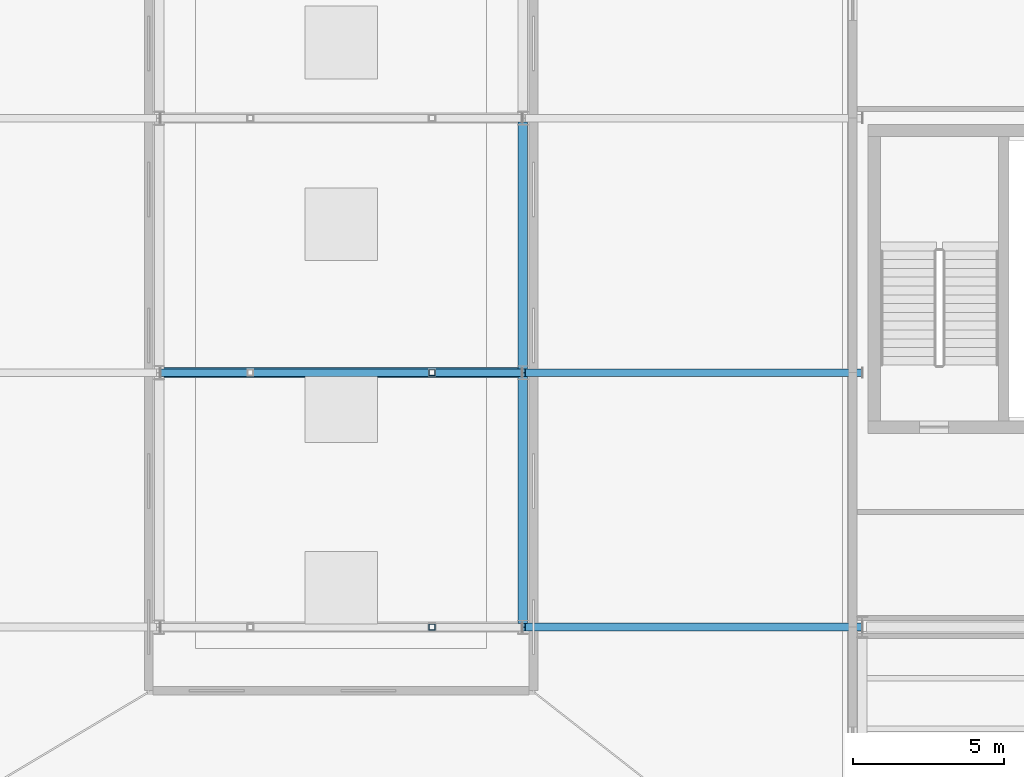
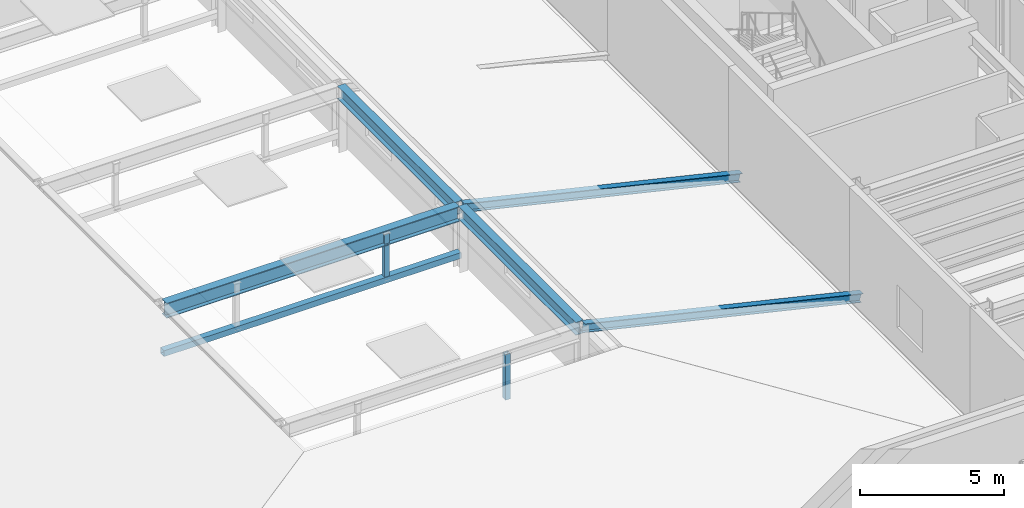
# One storey, part 49 of 91: 5 members, 3 beams.
"""IFC4 building model written with IfcOpenShell, lengths in metres."""

from ifc_helpers import new_model, si_unit, direction, frame, origin, origin_2d, place, context, subcontext, project, spatial, hollow_rectangle, i_section, extrude, material, material_profile, profile_set, type_object, element, save


model = new_model("IFC4")

# Units and contexts
model_context = context("Model", 3, precision=1e-05, world=origin(), true_north=direction((0.0, 1.0)))
body_context = subcontext(model_context, "Body", "Model", "MODEL_VIEW")
ifc_project = project(units=[si_unit("LENGTHUNIT", "METRE"), si_unit("AREAUNIT", "SQUARE_METRE"), si_unit("VOLUMEUNIT", "CUBIC_METRE"), si_unit("PLANEANGLEUNIT", "RADIAN"), si_unit("MASSUNIT", "GRAM", prefix="KILO")], contexts=[model_context])

# Site, building, storey
site_placement = place(None, origin())
site = spatial("IfcSite", under=ifc_project, at=site_placement, CompositionType="ELEMENT")
building_placement = place(site_placement, origin())
building = spatial("IfcBuilding", under=site, at=building_placement, Name="Sollismere Congress Hotel", CompositionType="ELEMENT")
storey_placement = place(building_placement, frame((0.0, 0.0, 10.800048828125)))
storey = spatial("IfcBuildingStorey", under=building, at=storey_placement, Name="L02", CompositionType="ELEMENT", Elevation=10.800048828125)

# Beams
ifc_material_1 = material(Name="Steel ASTM A992 Grade 50", Category="steel")
ifc_material_profile_1 = material_profile(ifc_material_1, i_section(OverallWidth=0.31201171875, OverallDepth=0.5439453125, WebThickness=0.0126953125, FlangeThickness=0.020263671875, at=origin_2d()), Name="W21X101")
ifc_profile_set_1 = profile_set([ifc_material_profile_1], Name="Steel ASTM A992 Grade 50")
beam_type_1 = type_object("IfcBeamType", Name="BM-G21M", PredefinedType="BEAM", material=ifc_profile_set_1)
for number, where, z_axis, x_axis, name in (
    (1, (136.0, 33.320068359375, 2.508056640625), (0.0, 1.0, 0.0), (-1.0, 0.0, 0.0), "Beam BM-L02-3854"),
    (2, (136.0, 41.719970703125, 2.508056640625), (0.0, 1.0, 0.0), (-1.0, 0.0, 0.0), "Beam BM-L02-3857"),
):
    element("IfcBeam", number, at=place(storey_placement, frame(where, z_axis=z_axis, x_axis=x_axis)), inside=storey, type_object=beam_type_1, Name=name, PredefinedType="BEAM", context=body_context, shape_type="SweptSolid", body=[
        extrude(i_section(OverallWidth=0.31201171875, OverallDepth=0.5439453125, WebThickness=0.0126953125, FlangeThickness=0.020263671875, at=origin_2d()), origin(), (0.0, 0.0, 1.0), 8.159912109375),
    ])
ifc_material_profile_2 = material_profile(ifc_material_1, i_section(OverallWidth=0.330078125, OverallDepth=0.635009765625, WebThickness=0.017822265625, FlangeThickness=0.031005859375, at=origin_2d()), Name="W24X162")
ifc_profile_set_2 = profile_set([ifc_material_profile_2], Name="Steel ASTM A992 Grade 50")
beam_type_2 = type_object("IfcBeamType", Name="BM-G24H", PredefinedType="BEAM", material=ifc_profile_set_2)
beam_placement = place(storey_placement, frame((124.1201171875, 41.60009765625, 2.46240234375), z_axis=(1.0, 0.0, 0.0), x_axis=(0.0, 1.0, 0.0)))
element("IfcBeam", 3, at=beam_placement, inside=storey, type_object=beam_type_2, Name="Beam BM-L02-3855", PredefinedType="BEAM", context=body_context, shape_type="SweptSolid", body=[
    extrude(i_section(OverallWidth=0.330078125, OverallDepth=0.635009765625, WebThickness=0.017822265625, FlangeThickness=0.031005859375, at=origin_2d()), origin(), (0.0, 0.0, 1.0), 11.759765625),
])

# Members
ifc_material_2 = material(Name="Steel ASTM A500 Grade C", Category="steel")
ifc_material_profile_3 = material_profile(ifc_material_2, hollow_rectangle(XDim=0.25, YDim=0.25, WallThickness=0.010009765625, at=origin_2d()), Name="HSS250X250X10")
ifc_profile_set_3 = profile_set([ifc_material_profile_3], Name="Steel ASTM A500 Grade C")
member_type_1 = type_object("IfcMemberType", Name="MB-CH250", PredefinedType="CHORD", material=ifc_profile_set_3)
member_placement = place(storey_placement, frame((124.0400390625, 41.60009765625, 0.64990234375), z_axis=(1.0, 0.0, 0.0), x_axis=(0.0, 1.0, 0.0)))
element("IfcMember", 4, at=member_placement, inside=storey, type_object=member_type_1, Name="MEM-CH-S02", PredefinedType="CHORD", context=body_context, shape_type="SweptSolid", body=[
    extrude(hollow_rectangle(XDim=0.25, YDim=0.25, WallThickness=0.010009765625, at=origin_2d()), origin(), (0.0, 0.0, 1.0), 11.919921875),
])
ifc_material_profile_4 = material_profile(ifc_material_1, i_section(OverallWidth=0.257080078125, OverallDepth=0.363037109375, WebThickness=0.012939453125, FlangeThickness=0.021728515625, at=origin_2d()), Name="W14X82")
ifc_profile_set_4 = profile_set([ifc_material_profile_4], Name="Steel ASTM A992 Grade 50")
member_type_2 = type_object("IfcMemberType", Name="MB-RF300", PredefinedType="RAFTER", material=ifc_profile_set_4)
for number, where, z_axis, x_axis, name in (
    (5, (147.199951171875, 33.199951171875, 0.0), (-0.973533515773, 0.0, 0.228544292572), (0.0, -1.0, 0.0), "MEM-RF-E01"),
    (6, (147.199951171875, 41.60009765625, 0.0), (-0.973533515773, 0.0, 0.228544292572), (0.0, -1.0, 0.0), "MEM-RF-E02"),
):
    element("IfcMember", number, at=place(storey_placement, frame(where, z_axis=z_axis, x_axis=x_axis)), inside=storey, type_object=member_type_2, Name=name, PredefinedType="RAFTER", context=body_context, shape_type="SweptSolid", body=[
        extrude(i_section(OverallWidth=0.257080078125, OverallDepth=0.363037109375, WebThickness=0.012939453125, FlangeThickness=0.021728515625, at=origin_2d()), origin(), (0.0, 0.0, 1.0), 11.46337890625),
    ])
ifc_material_profile_5 = material_profile(ifc_material_2, hollow_rectangle(XDim=0.199951171875, YDim=0.199951171875, WallThickness=0.010009765625, at=origin_2d()), Name="HSS200X200X10")
ifc_profile_set_5 = profile_set([ifc_material_profile_5], Name="Steel ASTM A500 Grade C")
member_type_3 = type_object("IfcMemberType", Name="MB-ST200", PredefinedType="STRUT", material=ifc_profile_set_5)
for number, where, z_axis, x_axis, name in (
    (7, (133.0, 33.199951171875, 0.64990234375), (0.0, 0.0, 1.0), (1.0, 0.0, 0.0), "MEM-ST-S12"),
    (8, (133.0, 41.60009765625, 0.64990234375), (0.0, 0.0, 1.0), (1.0, 0.0, 0.0), "MEM-ST-S22"),
):
    element("IfcMember", number, at=place(storey_placement, frame(where, z_axis=z_axis, x_axis=x_axis)), inside=storey, type_object=member_type_3, Name=name, PredefinedType="STRUT", context=body_context, shape_type="SweptSolid", body=[
        extrude(hollow_rectangle(XDim=0.199951171875, YDim=0.199951171875, WallThickness=0.010009765625, at=origin_2d()), origin(), (0.0, 0.0, 1.0), 1.929931640625),
    ])

save(model, "model.ifc")
